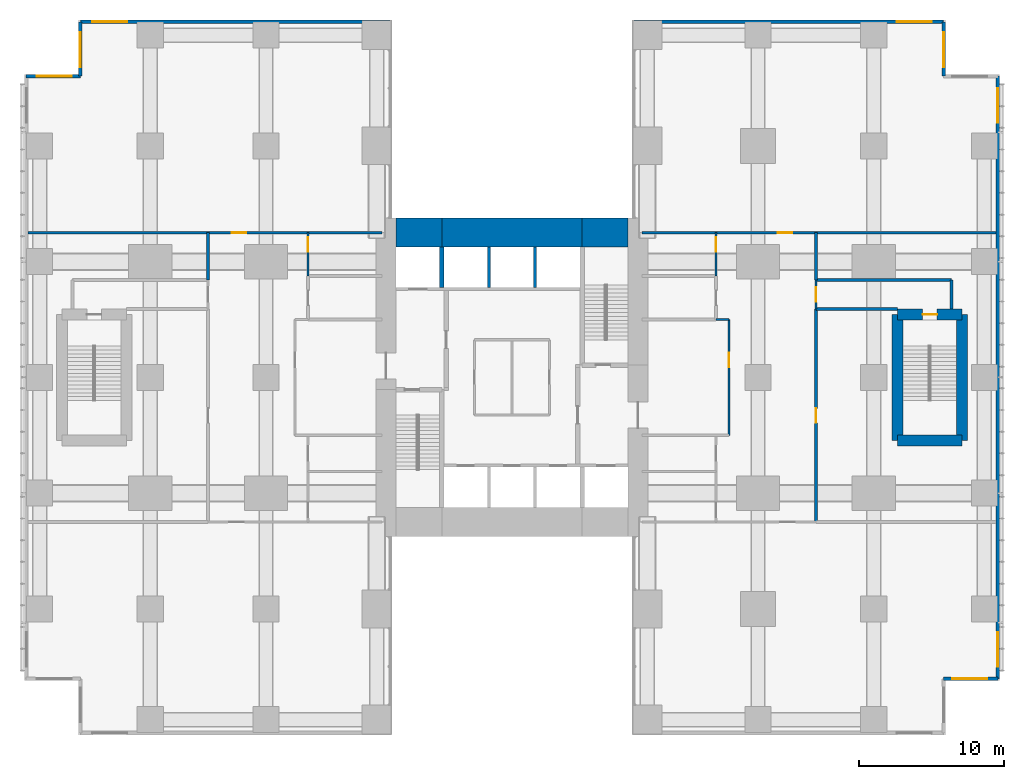
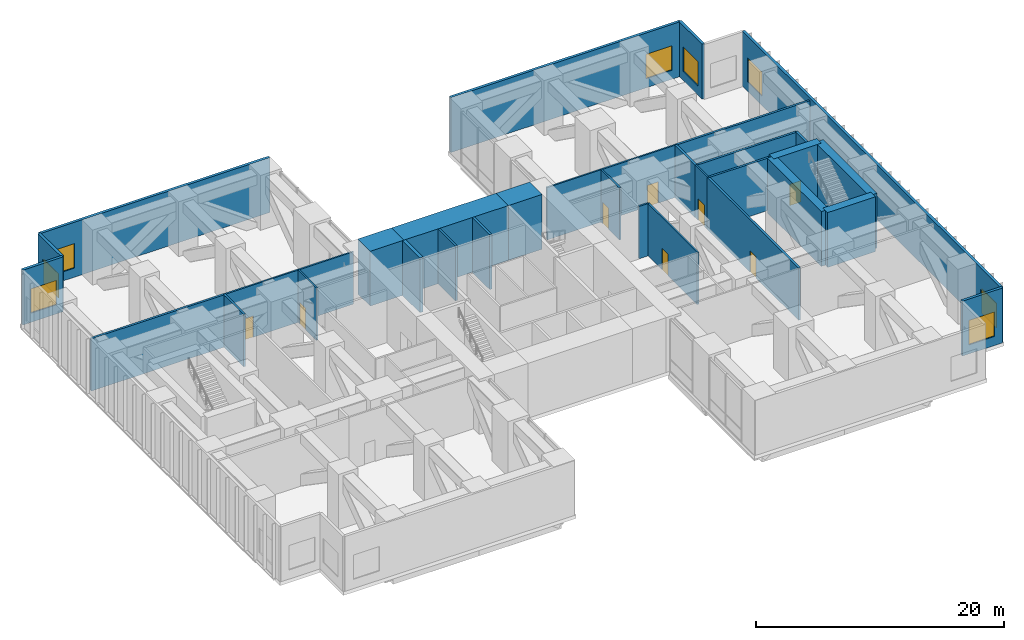
# One storey, part 13 of 15: 32 walls, 8 doors, 8 windows, 16 openings.
"""IFC4 building model written with IfcOpenShell, lengths in metres."""

from ifc_helpers import new_model, si_unit, direction, frame, frame_2d, origin, place, context, subcontext, project, spatial, rectangle, extrude, material, layer, layer_set, type_object, element, fill, save


model = new_model("IFC4")

# Units and contexts
model_context = context("Model", 3, precision=1e-05, world=origin(), true_north=direction((0.0, 1.0)))
body_context = subcontext(model_context, "Body", "Model", "MODEL_VIEW")
ifc_project = project(units=[si_unit("LENGTHUNIT", "METRE"), si_unit("AREAUNIT", "SQUARE_METRE"), si_unit("VOLUMEUNIT", "CUBIC_METRE"), si_unit("PLANEANGLEUNIT", "RADIAN"), si_unit("MASSUNIT", "GRAM", prefix="KILO")], contexts=[model_context])

# Site, building, storey
site_placement = place(None, origin())
site = spatial("IfcSite", under=ifc_project, at=site_placement, CompositionType="ELEMENT")
building_placement = place(site_placement, origin())
building = spatial("IfcBuilding", under=site, at=building_placement, Name="Cleftline Residences", CompositionType="ELEMENT")
storey_placement = place(building_placement, frame((0.0, 0.0, 171.800048828125)))
storey = spatial("IfcBuildingStorey", under=building, at=storey_placement, Name="L45", CompositionType="ELEMENT", Elevation=171.800048828125)

# Walls
ifc_material_1 = material(Name="Concrete B70", Category="concrete")
ifc_layer_1 = layer(ifc_material_1, 2.0)
ifc_layer_set_1 = layer_set([ifc_layer_1], Name="CORE WALL 2000")
wall_type_1 = type_object("IfcWallType", Name="CORE WALL 2000", PredefinedType="SHEAR", material=ifc_layer_set_1)
wall_1_placement = place(storey_placement, frame((25.0, 34.0, 0.0), z_axis=(0.0, 0.0, 1.0), x_axis=(1.0, 0.0, 0.0)))
element("IfcWall", 1, at=wall_1_placement, inside=storey, type_object=wall_type_1, Name="Core wall N1", PredefinedType="SHEAR", context=body_context, shape_type="SweptSolid", body=[
    extrude(rectangle(XDim=3.14990234375, YDim=2.0, at=frame_2d((1.574951171875, 0.0))), origin(), (0.0, 0.0, 1.0), 5.39990234375),
])
wall_2_placement = place(storey_placement, frame((28.14990234375, 34.0, 0.0), z_axis=(0.0, 0.0, 1.0), x_axis=(1.0, 0.0, 0.0)))
element("IfcWall", 2, at=wall_2_placement, inside=storey, type_object=wall_type_1, Name="Core wall N2", PredefinedType="SHEAR", context=body_context, shape_type="SweptSolid", body=[
    extrude(rectangle(XDim=9.7001953125, YDim=2.0, at=frame_2d((4.85009765625, 0.0))), origin(), (0.0, 0.0, 1.0), 5.39990234375),
])
wall_3_placement = place(storey_placement, frame((37.85009765625, 34.0, 0.0), z_axis=(0.0, 0.0, 1.0), x_axis=(1.0, 0.0, 0.0)))
element("IfcWall", 3, at=wall_3_placement, inside=storey, type_object=wall_type_1, Name="Core wall N3", PredefinedType="SHEAR", context=body_context, shape_type="SweptSolid", body=[
    extrude(rectangle(XDim=3.14990234375, YDim=2.0, at=frame_2d((1.574951171875, 0.0))), origin(), (0.0, 0.0, 1.0), 5.39990234375),
])
ifc_material_2 = material(Name="Concrete B70", Category="concrete")
ifc_layer_2 = layer(ifc_material_2, 0.300048828125)
ifc_layer_set_2 = layer_set([ifc_layer_2], Name="CORE WALL 300")
wall_type_2 = type_object("IfcWallType", Name="CORE WALL 300", PredefinedType="SHEAR", material=ifc_layer_set_2)
wall_4_placement = place(storey_placement, frame((28.14990234375, 30.199951171875, 0.0), z_axis=(0.0, 0.0, 1.0), x_axis=(0.0, 1.0, 0.0)))
element("IfcWall", 4, at=wall_4_placement, inside=storey, type_object=wall_type_2, Name="Lift shaft wall", PredefinedType="SHEAR", context=body_context, shape_type="SweptSolid", body=[
    extrude(rectangle(XDim=2.800048828125, YDim=0.300048828125, at=frame_2d((1.39990234375, 0.0))), origin(), (0.0, 0.0, 1.0), 5.39990234375),
])

# Wall, opening, window
ifc_material_3 = material(Name="Rendered reinforced concrete blockwork", Category="masonry")
ifc_layer_3 = layer(ifc_material_3, 0.25)
ifc_layer_set_3 = layer_set([ifc_layer_3], Name="EXTERNAL WALL 250")
wall_type_3 = type_object("IfcWallType", Name="EXTERNAL WALL 250", PredefinedType="SOLIDWALL", material=ifc_layer_set_3)
wall_5_placement = place(storey_placement, frame((62.824951171875, 3.175048828125, 0.0), z_axis=(0.0, 0.0, 1.0), x_axis=(1.0, 0.0, 0.0)))
wall_5 = element("IfcWall", 5, at=wall_5_placement, inside=storey, type_object=wall_type_3, Name="External wall", PredefinedType="SOLIDWALL", context=body_context, shape_type="SweptSolid", body=[
    extrude(rectangle(XDim=3.75, YDim=0.25, at=frame_2d((1.875, 0.0))), origin(), (0.0, 0.0, 1.0), 5.39990234375),
])
opening_1_placement = place(wall_5_placement, frame((0.612548828125, 0.0, 0.89990234375)))
opening_1 = element("IfcOpeningElement", 6, at=opening_1_placement, cuts=wall_5, Name="Opening W9", PredefinedType="OPENING", context=body_context, shape_type="SweptSolid", body=[
    extrude(rectangle(XDim=2.39990234375, YDim=2.39990234375, at=frame_2d((1.199951171875, 1.199951171875))), frame((0.0, 0.135009765625, 0.0), z_axis=(0.0, -1.0, 0.0), x_axis=(1.0, 0.0, 0.0)), (0.0, 0.0, 1.0), 0.27001953125),
])
ifc_material_4 = material(Name="Aluminium frame, clear double glazing", Category="aluminium")
window_type = type_object("IfcWindowType", Name="WINDOW 2400X2400", PartitioningType="DOUBLE_PANEL_VERTICAL", PredefinedType="WINDOW", material=ifc_material_4)
window_1_placement = place(opening_1_placement, origin())
window_1 = element("IfcWindow", 7, at=window_1_placement, inside=storey, type_object=window_type, Name="Window", OverallHeight=2.39990234375, OverallWidth=2.39990234375, PartitioningType="SINGLE_PANEL", PredefinedType="WINDOW", context=body_context, shape_type="SweptSolid", body=[
    extrude(rectangle(XDim=2.39990234375, YDim=2.39990234375, at=frame_2d((1.199951171875, 1.199951171875))), frame((0.0, 0.030029296875, 0.0), z_axis=(0.0, -1.0, 0.0), x_axis=(1.0, 0.0, 0.0)), (0.0, 0.0, 1.0), 0.06005859375),
])
fill(opening_1, window_1)

# Wall, openings, windows
wall_6_placement = place(storey_placement, frame((66.574951171875, 3.175048828125, 0.0), z_axis=(0.0, 0.0, 1.0), x_axis=(0.0, 1.0, 0.0)))
wall_6 = element("IfcWall", 8, at=wall_6_placement, inside=storey, type_object=wall_type_3, Name="External wall", PredefinedType="SOLIDWALL", context=body_context, shape_type="SweptSolid", body=[
    extrude(rectangle(XDim=41.64990234375, YDim=0.25, at=frame_2d((20.824951171875, 0.0))), origin(), (0.0, 0.0, 1.0), 5.39990234375),
])
opening_2_placement = place(wall_6_placement, frame((0.824951171875, 0.0, 0.89990234375)))
opening_2 = element("IfcOpeningElement", 9, at=opening_2_placement, cuts=wall_6, Name="Opening W9", PredefinedType="OPENING", context=body_context, shape_type="SweptSolid", body=[
    extrude(rectangle(XDim=2.39990234375, YDim=2.39990234375, at=frame_2d((1.199951171875, 1.199951171875))), frame((0.0, 0.135009765625, 0.0), z_axis=(0.0, -1.0, 0.0), x_axis=(1.0, 0.0, 0.0)), (0.0, 0.0, 1.0), 0.27001953125),
])
opening_3_placement = place(wall_6_placement, frame((38.425048828125, 0.0, 0.89990234375)))
opening_3 = element("IfcOpeningElement", 10, at=opening_3_placement, cuts=wall_6, Name="Opening W9", PredefinedType="OPENING", context=body_context, shape_type="SweptSolid", body=[
    extrude(rectangle(XDim=2.39990234375, YDim=2.39990234375, at=frame_2d((1.199951171875, 1.199951171875))), frame((0.0, 0.135009765625, 0.0), z_axis=(0.0, -1.0, 0.0), x_axis=(1.0, 0.0, 0.0)), (0.0, 0.0, 1.0), 0.27001953125),
])
window_2_placement = place(opening_2_placement, origin())
window_2 = element("IfcWindow", 11, at=window_2_placement, inside=storey, type_object=window_type, Name="Window", OverallHeight=2.39990234375, OverallWidth=2.39990234375, PartitioningType="SINGLE_PANEL", PredefinedType="WINDOW", context=body_context, shape_type="SweptSolid", body=[
    extrude(rectangle(XDim=2.39990234375, YDim=2.39990234375, at=frame_2d((1.199951171875, 1.199951171875))), frame((0.0, 0.030029296875, 0.0), z_axis=(0.0, -1.0, 0.0), x_axis=(1.0, 0.0, 0.0)), (0.0, 0.0, 1.0), 0.06005859375),
])
fill(opening_2, window_2)
window_3_placement = place(opening_3_placement, origin())
window_3 = element("IfcWindow", 12, at=window_3_placement, inside=storey, type_object=window_type, Name="Window", OverallHeight=2.39990234375, OverallWidth=2.39990234375, PartitioningType="SINGLE_PANEL", PredefinedType="WINDOW", context=body_context, shape_type="SweptSolid", body=[
    extrude(rectangle(XDim=2.39990234375, YDim=2.39990234375, at=frame_2d((1.199951171875, 1.199951171875))), frame((0.0, 0.030029296875, 0.0), z_axis=(0.0, -1.0, 0.0), x_axis=(1.0, 0.0, 0.0)), (0.0, 0.0, 1.0), 0.06005859375),
])
fill(opening_3, window_3)

# Wall, opening, window
wall_7_placement = place(storey_placement, frame((62.824951171875, 44.824951171875, 0.0), z_axis=(0.0, 0.0, 1.0), x_axis=(0.0, 1.0, 0.0)))
wall_7 = element("IfcWall", 13, at=wall_7_placement, inside=storey, type_object=wall_type_3, Name="External wall", PredefinedType="SOLIDWALL", context=body_context, shape_type="SweptSolid", body=[
    extrude(rectangle(XDim=3.75, YDim=0.25, at=frame_2d((1.875, 0.0))), origin(), (0.0, 0.0, 1.0), 5.39990234375),
])
opening_4_placement = place(wall_7_placement, frame((0.612548828125, 0.0, 0.89990234375)))
opening_4 = element("IfcOpeningElement", 14, at=opening_4_placement, cuts=wall_7, Name="Opening W9", PredefinedType="OPENING", context=body_context, shape_type="SweptSolid", body=[
    extrude(rectangle(XDim=2.39990234375, YDim=2.39990234375, at=frame_2d((1.199951171875, 1.199951171875))), frame((0.0, 0.135009765625, 0.0), z_axis=(0.0, -1.0, 0.0), x_axis=(1.0, 0.0, 0.0)), (0.0, 0.0, 1.0), 0.27001953125),
])
window_4_placement = place(opening_4_placement, origin())
window_4 = element("IfcWindow", 15, at=window_4_placement, inside=storey, type_object=window_type, Name="Window", OverallHeight=2.39990234375, OverallWidth=2.39990234375, PartitioningType="SINGLE_PANEL", PredefinedType="WINDOW", context=body_context, shape_type="SweptSolid", body=[
    extrude(rectangle(XDim=2.39990234375, YDim=2.39990234375, at=frame_2d((1.199951171875, 1.199951171875))), frame((0.0, 0.030029296875, 0.0), z_axis=(0.0, -1.0, 0.0), x_axis=(1.0, 0.0, 0.0)), (0.0, 0.0, 1.0), 0.06005859375),
])
fill(opening_4, window_4)

wall_8_placement = place(storey_placement, frame((62.824951171875, 48.574951171875, 0.0), z_axis=(0.0, 0.0, 1.0), x_axis=(-1.0, 0.0, 0.0)))
wall_8 = element("IfcWall", 16, at=wall_8_placement, inside=storey, type_object=wall_type_3, Name="External wall", PredefinedType="SOLIDWALL", context=body_context, shape_type="SweptSolid", body=[
    extrude(rectangle(XDim=21.39990234375, YDim=0.25, at=frame_2d((10.699951171875, 0.0))), origin(), (0.0, 0.0, 1.0), 5.39990234375),
])
opening_5_placement = place(wall_8_placement, frame((0.824951171875, 0.0, 0.89990234375)))
opening_5 = element("IfcOpeningElement", 17, at=opening_5_placement, cuts=wall_8, Name="Opening W9", PredefinedType="OPENING", context=body_context, shape_type="SweptSolid", body=[
    extrude(rectangle(XDim=2.39990234375, YDim=2.39990234375, at=frame_2d((1.199951171875, 1.199951171875))), frame((0.0, 0.135009765625, 0.0), z_axis=(0.0, -1.0, 0.0), x_axis=(1.0, 0.0, 0.0)), (0.0, 0.0, 1.0), 0.27001953125),
])
window_5_placement = place(opening_5_placement, origin())
window_5 = element("IfcWindow", 18, at=window_5_placement, inside=storey, type_object=window_type, Name="Window", OverallHeight=2.39990234375, OverallWidth=2.39990234375, PartitioningType="SINGLE_PANEL", PredefinedType="WINDOW", context=body_context, shape_type="SweptSolid", body=[
    extrude(rectangle(XDim=2.39990234375, YDim=2.39990234375, at=frame_2d((1.199951171875, 1.199951171875))), frame((0.0, 0.030029296875, 0.0), z_axis=(0.0, -1.0, 0.0), x_axis=(1.0, 0.0, 0.0)), (0.0, 0.0, 1.0), 0.06005859375),
])
fill(opening_5, window_5)

wall_9_placement = place(storey_placement, frame((24.574951171875, 48.574951171875, 0.0), z_axis=(0.0, 0.0, 1.0), x_axis=(-1.0, 0.0, 0.0)))
wall_9 = element("IfcWall", 19, at=wall_9_placement, inside=storey, type_object=wall_type_3, Name="External wall", PredefinedType="SOLIDWALL", context=body_context, shape_type="SweptSolid", body=[
    extrude(rectangle(XDim=21.39990234375, YDim=0.25, at=frame_2d((10.699951171875, 0.0))), origin(), (0.0, 0.0, 1.0), 5.39990234375),
])
opening_6_placement = place(wall_9_placement, frame((18.175048828125, 0.0, 0.89990234375)))
opening_6 = element("IfcOpeningElement", 20, at=opening_6_placement, cuts=wall_9, Name="Opening W9", PredefinedType="OPENING", context=body_context, shape_type="SweptSolid", body=[
    extrude(rectangle(XDim=2.39990234375, YDim=2.39990234375, at=frame_2d((1.199951171875, 1.199951171875))), frame((0.0, 0.135009765625, 0.0), z_axis=(0.0, -1.0, 0.0), x_axis=(1.0, 0.0, 0.0)), (0.0, 0.0, 1.0), 0.27001953125),
])
window_6_placement = place(opening_6_placement, origin())
window_6 = element("IfcWindow", 21, at=window_6_placement, inside=storey, type_object=window_type, Name="Window", OverallHeight=2.39990234375, OverallWidth=2.39990234375, PartitioningType="SINGLE_PANEL", PredefinedType="WINDOW", context=body_context, shape_type="SweptSolid", body=[
    extrude(rectangle(XDim=2.39990234375, YDim=2.39990234375, at=frame_2d((1.199951171875, 1.199951171875))), frame((0.0, 0.030029296875, 0.0), z_axis=(0.0, -1.0, 0.0), x_axis=(1.0, 0.0, 0.0)), (0.0, 0.0, 1.0), 0.06005859375),
])
fill(opening_6, window_6)

wall_10_placement = place(storey_placement, frame((3.175048828125, 48.574951171875, 0.0), z_axis=(0.0, 0.0, 1.0), x_axis=(0.0, -1.0, 0.0)))
wall_10 = element("IfcWall", 22, at=wall_10_placement, inside=storey, type_object=wall_type_3, Name="External wall", PredefinedType="SOLIDWALL", context=body_context, shape_type="SweptSolid", body=[
    extrude(rectangle(XDim=3.75, YDim=0.25, at=frame_2d((1.875, 0.0))), origin(), (0.0, 0.0, 1.0), 5.39990234375),
])
opening_7_placement = place(wall_10_placement, frame((0.737548828125, 0.0, 0.89990234375)))
opening_7 = element("IfcOpeningElement", 23, at=opening_7_placement, cuts=wall_10, Name="Opening W9", PredefinedType="OPENING", context=body_context, shape_type="SweptSolid", body=[
    extrude(rectangle(XDim=2.39990234375, YDim=2.39990234375, at=frame_2d((1.199951171875, 1.199951171875))), frame((0.0, 0.135009765625, 0.0), z_axis=(0.0, -1.0, 0.0), x_axis=(1.0, 0.0, 0.0)), (0.0, 0.0, 1.0), 0.27001953125),
])
window_7_placement = place(opening_7_placement, origin())
window_7 = element("IfcWindow", 24, at=window_7_placement, inside=storey, type_object=window_type, Name="Window", OverallHeight=2.39990234375, OverallWidth=2.39990234375, PartitioningType="SINGLE_PANEL", PredefinedType="WINDOW", context=body_context, shape_type="SweptSolid", body=[
    extrude(rectangle(XDim=2.39990234375, YDim=2.39990234375, at=frame_2d((1.199951171875, 1.199951171875))), frame((0.0, 0.030029296875, 0.0), z_axis=(0.0, -1.0, 0.0), x_axis=(1.0, 0.0, 0.0)), (0.0, 0.0, 1.0), 0.06005859375),
])
fill(opening_7, window_7)

wall_11_placement = place(storey_placement, frame((3.175048828125, 44.824951171875, 0.0), z_axis=(0.0, 0.0, 1.0), x_axis=(-1.0, 0.0, 0.0)))
wall_11 = element("IfcWall", 25, at=wall_11_placement, inside=storey, type_object=wall_type_3, Name="External wall", PredefinedType="SOLIDWALL", context=body_context, shape_type="SweptSolid", body=[
    extrude(rectangle(XDim=3.75, YDim=0.25, at=frame_2d((1.875, 0.0))), origin(), (0.0, 0.0, 1.0), 5.39990234375),
])
opening_8_placement = place(wall_11_placement, frame((0.612548828125, 0.0, 0.89990234375)))
opening_8 = element("IfcOpeningElement", 26, at=opening_8_placement, cuts=wall_11, Name="Opening W9", PredefinedType="OPENING", context=body_context, shape_type="SweptSolid", body=[
    extrude(rectangle(XDim=2.39990234375, YDim=2.39990234375, at=frame_2d((1.199951171875, 1.199951171875))), frame((0.0, 0.135009765625, 0.0), z_axis=(0.0, -1.0, 0.0), x_axis=(1.0, 0.0, 0.0)), (0.0, 0.0, 1.0), 0.27001953125),
])
window_8_placement = place(opening_8_placement, origin())
window_8 = element("IfcWindow", 27, at=window_8_placement, inside=storey, type_object=window_type, Name="Window", OverallHeight=2.39990234375, OverallWidth=2.39990234375, PartitioningType="SINGLE_PANEL", PredefinedType="WINDOW", context=body_context, shape_type="SweptSolid", body=[
    extrude(rectangle(XDim=2.39990234375, YDim=2.39990234375, at=frame_2d((1.199951171875, 1.199951171875))), frame((0.0, 0.030029296875, 0.0), z_axis=(0.0, -1.0, 0.0), x_axis=(1.0, 0.0, 0.0)), (0.0, 0.0, 1.0), 0.06005859375),
])
fill(opening_8, window_8)

# Walls
ifc_material_5 = material(Name="Concrete blockwork, fire rated", Category="masonry")
ifc_layer_4 = layer(ifc_material_5, 0.199951171875)
ifc_layer_set_4 = layer_set([ifc_layer_4], Name="FIRE WALL 200")
wall_type_4 = type_object("IfcWallType", Name="FIRE WALL 200", PredefinedType="PARTITIONING", material=ifc_layer_set_4)
wall_12_placement = place(storey_placement, frame((54.0, 28.72509765625, 0.0), z_axis=(0.0, 0.0, 1.0), x_axis=(1.0, 0.0, 0.0)))
element("IfcWall", 28, at=wall_12_placement, inside=storey, type_object=wall_type_4, Name="Fire separating wall", PredefinedType="PARTITIONING", context=body_context, shape_type="SweptSolid", body=[
    extrude(rectangle(XDim=5.64990234375, YDim=0.199951171875, at=frame_2d((2.824951171875, 0.0))), origin(), (0.0, 0.0, 1.0), 5.14990234375),
])
wall_13_placement = place(storey_placement, frame((54.0, 30.72509765625, 0.0), z_axis=(0.0, 0.0, 1.0), x_axis=(1.0, 0.0, 0.0)))
element("IfcWall", 29, at=wall_13_placement, inside=storey, type_object=wall_type_4, Name="Fire separating wall", PredefinedType="PARTITIONING", context=body_context, shape_type="SweptSolid", body=[
    extrude(rectangle(XDim=9.375, YDim=0.199951171875, at=frame_2d((4.6875, 0.0))), origin(), (0.0, 0.0, 1.0), 5.14990234375),
])
for number, where, z_axis, x_axis, name in (
    (30, (-0.449951171875, 34.0, 0.0), (0.0, 0.0, 1.0), (1.0, 0.0, 0.0), "Fire separating wall"),
    (31, (54.0, 34.0, 0.0), (0.0, 0.0, 1.0), (1.0, 0.0, 0.0), "Fire separating wall"),
):
    element("IfcWall", number, at=place(storey_placement, frame(where, z_axis=z_axis, x_axis=x_axis)), inside=storey, type_object=wall_type_4, Name=name, PredefinedType="PARTITIONING", context=body_context, shape_type="SweptSolid", body=[
        extrude(rectangle(XDim=12.449951171875, YDim=0.199951171875, at=frame_2d((6.22509765625, 0.0))), origin(), (0.0, 0.0, 1.0), 5.14990234375),
    ])
wall_14_placement = place(storey_placement, frame((12.0, 30.72509765625, 0.0), z_axis=(0.0, 0.0, 1.0), x_axis=(0.0, 1.0, 0.0)))
element("IfcWall", 32, at=wall_14_placement, inside=storey, type_object=wall_type_4, Name="Fire separating wall", PredefinedType="PARTITIONING", context=body_context, shape_type="SweptSolid", body=[
    extrude(rectangle(XDim=3.27490234375, YDim=0.199951171875, at=frame_2d((1.637451171875, 0.0))), origin(), (0.0, 0.0, 1.0), 5.14990234375),
])

# Wall, opening, door
wall_15_placement = place(storey_placement, frame((54.0, 14.0, 0.0), z_axis=(0.0, 0.0, 1.0), x_axis=(0.0, 1.0, 0.0)))
wall_15 = element("IfcWall", 33, at=wall_15_placement, inside=storey, type_object=wall_type_4, Name="Fire separating wall", PredefinedType="PARTITIONING", context=body_context, shape_type="SweptSolid", body=[
    extrude(rectangle(XDim=14.72509765625, YDim=0.199951171875, at=frame_2d((7.362548828125, 0.0))), origin(), (0.0, 0.0, 1.0), 5.14990234375),
])
opening_9_placement = place(wall_15_placement, frame((6.862548828125, 0.0, 0.0)))
opening_9 = element("IfcOpeningElement", 34, at=opening_9_placement, cuts=wall_15, Name="Opening D2F60", PredefinedType="OPENING", context=body_context, shape_type="SweptSolid", body=[
    extrude(rectangle(XDim=1.0, YDim=2.10009765625, at=frame_2d((0.5, 1.050048828125))), frame((0.0, 0.10986328125, 0.0), z_axis=(0.0, -1.0, 0.0), x_axis=(1.0, 0.0, 0.0)), (0.0, 0.0, 1.0), 0.219970703125),
])
ifc_material_6 = material(Name="Timber veneer on solid core", Category="wood")
door_type_1 = type_object("IfcDoorType", Name="DOOR 1000X2100 EI 60", OperationType="SINGLE_SWING_LEFT", PredefinedType="DOOR", material=ifc_material_6)
door_1_placement = place(opening_9_placement, origin())
door_1 = element("IfcDoor", 35, at=door_1_placement, inside=storey, type_object=door_type_1, Name="Door to mechanical plant room", OperationType="SINGLE_SWING_LEFT", OverallHeight=2.10009765625, OverallWidth=1.0, PredefinedType="DOOR", context=body_context, shape_type="SweptSolid", body=[
    extrude(rectangle(XDim=1.0, YDim=2.10009765625, at=frame_2d((0.5, 1.050048828125))), frame((0.0, 0.02490234375, 0.0), z_axis=(0.0, -1.0, 0.0), x_axis=(1.0, 0.0, 0.0)), (0.0, 0.0, 1.0), 0.050048828125),
])
fill(opening_9, door_1)

# Walls
wall_16_placement = place(storey_placement, frame((54.0, 30.72509765625, 0.0), z_axis=(0.0, 0.0, 1.0), x_axis=(0.0, 1.0, 0.0)))
element("IfcWall", 36, at=wall_16_placement, inside=storey, type_object=wall_type_4, Name="Fire separating wall", PredefinedType="PARTITIONING", context=body_context, shape_type="SweptSolid", body=[
    extrude(rectangle(XDim=3.27490234375, YDim=0.199951171875, at=frame_2d((1.637451171875, 0.0))), origin(), (0.0, 0.0, 1.0), 5.14990234375),
])
wall_17_placement = place(storey_placement, frame((63.375, 28.72509765625, 0.0), z_axis=(0.0, 0.0, 1.0), x_axis=(0.0, 1.0, 0.0)))
element("IfcWall", 37, at=wall_17_placement, inside=storey, type_object=wall_type_4, Name="Fire separating wall", PredefinedType="PARTITIONING", context=body_context, shape_type="SweptSolid", body=[
    extrude(rectangle(XDim=2.0, YDim=0.199951171875, at=frame_2d((1.0, 0.0))), origin(), (0.0, 0.0, 1.0), 5.14990234375),
])
ifc_material_7 = material(Name="Gypsum board on steel studs", Category="steel")
ifc_layer_5 = layer(ifc_material_7, 0.14990234375)
ifc_layer_set_5 = layer_set([ifc_layer_5], Name="PARTITION 150")
wall_type_5 = type_object("IfcWallType", Name="PARTITION 150", PredefinedType="PARTITIONING", material=ifc_layer_set_5)
wall_18_placement = place(storey_placement, frame((47.10009765625, 28.0, 0.0), z_axis=(0.0, 0.0, 1.0), x_axis=(1.0, 0.0, 0.0)))
element("IfcWall", 38, at=wall_18_placement, inside=storey, type_object=wall_type_5, Name="Partition", PredefinedType="PARTITIONING", context=body_context, shape_type="SweptSolid", body=[
    extrude(rectangle(XDim=0.89990234375, YDim=0.14990234375, at=frame_2d((0.449951171875, 0.0))), origin(), (0.0, 0.0, 1.0), 5.14990234375),
])

# Wall, opening, door
wall_19_placement = place(storey_placement, frame((12.0, 34.0, 0.0), z_axis=(0.0, 0.0, 1.0), x_axis=(1.0, 0.0, 0.0)))
wall_19 = element("IfcWall", 39, at=wall_19_placement, inside=storey, type_object=wall_type_5, Name="Partition", PredefinedType="PARTITIONING", context=body_context, shape_type="SweptSolid", body=[
    extrude(rectangle(XDim=12.0, YDim=0.14990234375, at=frame_2d((6.0, 0.0))), origin(), (0.0, 0.0, 1.0), 5.14990234375),
])
opening_10_placement = place(wall_19_placement, frame((1.64990234375, 0.0, 0.0)))
opening_10 = element("IfcOpeningElement", 40, at=opening_10_placement, cuts=wall_19, Name="Opening D2F60", PredefinedType="OPENING", context=body_context, shape_type="SweptSolid", body=[
    extrude(rectangle(XDim=1.0, YDim=2.10009765625, at=frame_2d((0.5, 1.050048828125))), frame((0.0, 0.0849609375, 0.0), z_axis=(0.0, -1.0, 0.0), x_axis=(1.0, 0.0, 0.0)), (0.0, 0.0, 1.0), 0.169921875),
])
door_2_placement = place(opening_10_placement, origin())
door_2 = element("IfcDoor", 41, at=door_2_placement, inside=storey, type_object=door_type_1, Name="Door to refuge area", OperationType="SINGLE_SWING_RIGHT", OverallHeight=2.10009765625, OverallWidth=1.0, PredefinedType="DOOR", context=body_context, shape_type="SweptSolid", body=[
    extrude(rectangle(XDim=1.0, YDim=2.10009765625, at=frame_2d((0.5, 1.050048828125))), frame((0.0, 0.02490234375, 0.0), z_axis=(0.0, -1.0, 0.0), x_axis=(1.0, 0.0, 0.0)), (0.0, 0.0, 1.0), 0.050048828125),
])
fill(opening_10, door_2)

wall_20_placement = place(storey_placement, frame((42.0, 34.0, 0.0), z_axis=(0.0, 0.0, 1.0), x_axis=(1.0, 0.0, 0.0)))
wall_20 = element("IfcWall", 42, at=wall_20_placement, inside=storey, type_object=wall_type_5, Name="Partition", PredefinedType="PARTITIONING", context=body_context, shape_type="SweptSolid", body=[
    extrude(rectangle(XDim=12.0, YDim=0.14990234375, at=frame_2d((6.0, 0.0))), origin(), (0.0, 0.0, 1.0), 5.14990234375),
])
opening_11_placement = place(wall_20_placement, frame((9.35009765625, 0.0, 0.0)))
opening_11 = element("IfcOpeningElement", 43, at=opening_11_placement, cuts=wall_20, Name="Opening D2F60", PredefinedType="OPENING", context=body_context, shape_type="SweptSolid", body=[
    extrude(rectangle(XDim=1.0, YDim=2.10009765625, at=frame_2d((0.5, 1.050048828125))), frame((0.0, 0.0849609375, 0.0), z_axis=(0.0, -1.0, 0.0), x_axis=(1.0, 0.0, 0.0)), (0.0, 0.0, 1.0), 0.169921875),
])
door_3_placement = place(opening_11_placement, origin())
door_3 = element("IfcDoor", 44, at=door_3_placement, inside=storey, type_object=door_type_1, Name="Door to refuge area", OperationType="SINGLE_SWING_LEFT", OverallHeight=2.10009765625, OverallWidth=1.0, PredefinedType="DOOR", context=body_context, shape_type="SweptSolid", body=[
    extrude(rectangle(XDim=1.0, YDim=2.10009765625, at=frame_2d((0.5, 1.050048828125))), frame((0.0, 0.02490234375, 0.0), z_axis=(0.0, -1.0, 0.0), x_axis=(1.0, 0.0, 0.0)), (0.0, 0.0, 1.0), 0.050048828125),
])
fill(opening_11, door_3)

wall_21_placement = place(storey_placement, frame((18.89990234375, 31.0, 0.0), z_axis=(0.0, 0.0, 1.0), x_axis=(0.0, 1.0, 0.0)))
wall_21 = element("IfcWall", 45, at=wall_21_placement, inside=storey, type_object=wall_type_5, Name="Partition", PredefinedType="PARTITIONING", context=body_context, shape_type="SweptSolid", body=[
    extrude(rectangle(XDim=3.0, YDim=0.14990234375, at=frame_2d((1.5, 0.0))), origin(), (0.0, 0.0, 1.0), 5.14990234375),
])
opening_12_placement = place(wall_21_placement, frame((1.699951171875, 0.0, 0.0)))
opening_12 = element("IfcOpeningElement", 46, at=opening_12_placement, cuts=wall_21, Name="Opening D2F60", PredefinedType="OPENING", context=body_context, shape_type="SweptSolid", body=[
    extrude(rectangle(XDim=1.0, YDim=2.10009765625, at=frame_2d((0.5, 1.050048828125))), frame((0.0, 0.0849609375, 0.0), z_axis=(0.0, -1.0, 0.0), x_axis=(1.0, 0.0, 0.0)), (0.0, 0.0, 1.0), 0.169921875),
])
door_4_placement = place(opening_12_placement, origin())
door_4 = element("IfcDoor", 47, at=door_4_placement, inside=storey, type_object=door_type_1, Name="Door to communications room", OperationType="SINGLE_SWING_LEFT", OverallHeight=2.10009765625, OverallWidth=1.0, PredefinedType="DOOR", context=body_context, shape_type="SweptSolid", body=[
    extrude(rectangle(XDim=1.0, YDim=2.10009765625, at=frame_2d((0.5, 1.050048828125))), frame((0.0, 0.02490234375, 0.0), z_axis=(0.0, -1.0, 0.0), x_axis=(1.0, 0.0, 0.0)), (0.0, 0.0, 1.0), 0.050048828125),
])
fill(opening_12, door_4)

wall_22_placement = place(storey_placement, frame((47.10009765625, 31.0, 0.0), z_axis=(0.0, 0.0, 1.0), x_axis=(0.0, 1.0, 0.0)))
wall_22 = element("IfcWall", 48, at=wall_22_placement, inside=storey, type_object=wall_type_5, Name="Partition", PredefinedType="PARTITIONING", context=body_context, shape_type="SweptSolid", body=[
    extrude(rectangle(XDim=3.0, YDim=0.14990234375, at=frame_2d((1.5, 0.0))), origin(), (0.0, 0.0, 1.0), 5.14990234375),
])
opening_13_placement = place(wall_22_placement, frame((1.699951171875, 0.0, 0.0)))
opening_13 = element("IfcOpeningElement", 49, at=opening_13_placement, cuts=wall_22, Name="Opening D2F60", PredefinedType="OPENING", context=body_context, shape_type="SweptSolid", body=[
    extrude(rectangle(XDim=1.0, YDim=2.10009765625, at=frame_2d((0.5, 1.050048828125))), frame((0.0, 0.0849609375, 0.0), z_axis=(0.0, -1.0, 0.0), x_axis=(1.0, 0.0, 0.0)), (0.0, 0.0, 1.0), 0.169921875),
])
door_5_placement = place(opening_13_placement, origin())
door_5 = element("IfcDoor", 50, at=door_5_placement, inside=storey, type_object=door_type_1, Name="Door to communications room", OperationType="SINGLE_SWING_LEFT", OverallHeight=2.10009765625, OverallWidth=1.0, PredefinedType="DOOR", context=body_context, shape_type="SweptSolid", body=[
    extrude(rectangle(XDim=1.0, YDim=2.10009765625, at=frame_2d((0.5, 1.050048828125))), frame((0.0, 0.02490234375, 0.0), z_axis=(0.0, -1.0, 0.0), x_axis=(1.0, 0.0, 0.0)), (0.0, 0.0, 1.0), 0.050048828125),
])
fill(opening_13, door_5)

wall_23_placement = place(storey_placement, frame((48.0, 20.0, 0.0), z_axis=(0.0, 0.0, 1.0), x_axis=(0.0, 1.0, 0.0)))
wall_23 = element("IfcWall", 51, at=wall_23_placement, inside=storey, type_object=wall_type_5, Name="Partition", PredefinedType="PARTITIONING", context=body_context, shape_type="SweptSolid", body=[
    extrude(rectangle(XDim=8.0, YDim=0.14990234375, at=frame_2d((4.0, 0.0))), origin(), (0.0, 0.0, 1.0), 5.14990234375),
])
opening_14_placement = place(wall_23_placement, frame((4.699951171875, 0.0, 0.0)))
opening_14 = element("IfcOpeningElement", 52, at=opening_14_placement, cuts=wall_23, Name="Opening D2F30", PredefinedType="OPENING", context=body_context, shape_type="SweptSolid", body=[
    extrude(rectangle(XDim=1.0, YDim=2.10009765625, at=frame_2d((0.5, 1.050048828125))), frame((0.0, 0.0849609375, 0.0), z_axis=(0.0, -1.0, 0.0), x_axis=(1.0, 0.0, 0.0)), (0.0, 0.0, 1.0), 0.169921875),
])
ifc_material_8 = material(Name="Timber veneer on solid core", Category="wood")
door_type_2 = type_object("IfcDoorType", Name="DOOR 1000X2100 EI 30", OperationType="SINGLE_SWING_LEFT", PredefinedType="DOOR", material=ifc_material_8)
door_6_placement = place(opening_14_placement, origin())
door_6 = element("IfcDoor", 53, at=door_6_placement, inside=storey, type_object=door_type_2, Name="Door to corridor", OperationType="SINGLE_SWING_LEFT", OverallHeight=2.10009765625, OverallWidth=1.0, PredefinedType="DOOR", context=body_context, shape_type="SweptSolid", body=[
    extrude(rectangle(XDim=1.0, YDim=2.10009765625, at=frame_2d((0.5, 1.050048828125))), frame((0.0, 0.02490234375, 0.0), z_axis=(0.0, -1.0, 0.0), x_axis=(1.0, 0.0, 0.0)), (0.0, 0.0, 1.0), 0.050048828125),
])
fill(opening_14, door_6)

wall_24_placement = place(storey_placement, frame((54.0, 28.72509765625, 0.0), z_axis=(0.0, 0.0, 1.0), x_axis=(0.0, 1.0, 0.0)))
wall_24 = element("IfcWall", 54, at=wall_24_placement, inside=storey, type_object=wall_type_5, Name="Partition", PredefinedType="PARTITIONING", context=body_context, shape_type="SweptSolid", body=[
    extrude(rectangle(XDim=2.0, YDim=0.14990234375, at=frame_2d((1.0, 0.0))), origin(), (0.0, 0.0, 1.0), 5.14990234375),
])
opening_15_placement = place(wall_24_placement, frame((0.5, 0.0, 0.0)))
opening_15 = element("IfcOpeningElement", 55, at=opening_15_placement, cuts=wall_24, Name="Opening D2F30", PredefinedType="OPENING", context=body_context, shape_type="SweptSolid", body=[
    extrude(rectangle(XDim=1.0, YDim=2.10009765625, at=frame_2d((0.5, 1.050048828125))), frame((0.0, 0.0849609375, 0.0), z_axis=(0.0, -1.0, 0.0), x_axis=(1.0, 0.0, 0.0)), (0.0, 0.0, 1.0), 0.169921875),
])
door_7_placement = place(opening_15_placement, origin())
door_7 = element("IfcDoor", 56, at=door_7_placement, inside=storey, type_object=door_type_2, Name="Door to stair lobby", OperationType="SINGLE_SWING_LEFT", OverallHeight=2.10009765625, OverallWidth=1.0, PredefinedType="DOOR", context=body_context, shape_type="SweptSolid", body=[
    extrude(rectangle(XDim=1.0, YDim=2.10009765625, at=frame_2d((0.5, 1.050048828125))), frame((0.0, 0.02490234375, 0.0), z_axis=(0.0, -1.0, 0.0), x_axis=(1.0, 0.0, 0.0)), (0.0, 0.0, 1.0), 0.050048828125),
])
fill(opening_15, door_7)

# Walls
ifc_material_9 = material(Name="Concrete blockwork, fire rated", Category="masonry")
ifc_layer_6 = layer(ifc_material_9, 0.199951171875)
ifc_layer_set_6 = layer_set([ifc_layer_6], Name="SHAFT WALL 200")
wall_type_6 = type_object("IfcWallType", Name="SHAFT WALL 200", PredefinedType="PARTITIONING", material=ifc_layer_set_6)
for number, where, z_axis, x_axis, name in (
    (57, (31.39990234375, 30.199951171875, 0.0), (0.0, 0.0, 1.0), (0.0, 1.0, 0.0), "Lift shaft wall"),
    (58, (34.60009765625, 30.199951171875, 0.0), (0.0, 0.0, 1.0), (0.0, 1.0, 0.0), "Lift shaft wall"),
):
    element("IfcWall", number, at=place(storey_placement, frame(where, z_axis=z_axis, x_axis=x_axis)), inside=storey, type_object=wall_type_6, Name=name, PredefinedType="PARTITIONING", context=body_context, shape_type="SweptSolid", body=[
        extrude(rectangle(XDim=2.800048828125, YDim=0.199951171875, at=frame_2d((1.39990234375, 0.0))), origin(), (0.0, 0.0, 1.0), 5.39990234375),
    ])
ifc_material_10 = material(Name="Concrete B70", Category="concrete")
ifc_layer_7 = layer(ifc_material_10, 0.75)
ifc_layer_set_7 = layer_set([ifc_layer_7], Name="SHEAR WALL 750")
wall_type_7 = type_object("IfcWallType", Name="SHEAR WALL 750", PredefinedType="SHEAR", material=ifc_layer_set_7)
wall_25_placement = place(storey_placement, frame((59.64990234375, 19.64990234375, 0.0), z_axis=(0.0, 0.0, 1.0), x_axis=(1.0, 0.0, 0.0)))
element("IfcWall", 59, at=wall_25_placement, inside=storey, type_object=wall_type_7, Name="Wing shear wall", PredefinedType="SHEAR", context=body_context, shape_type="SweptSolid", body=[
    extrude(rectangle(XDim=4.4501953125, YDim=0.75, at=frame_2d((2.22509765625, 0.0))), origin(), (0.0, 0.0, 1.0), 5.39990234375),
])
wall_26_placement = place(storey_placement, frame((64.10009765625, 19.64990234375, 0.0), z_axis=(0.0, 0.0, 1.0), x_axis=(0.0, 1.0, 0.0)))
element("IfcWall", 60, at=wall_26_placement, inside=storey, type_object=wall_type_7, Name="Wing shear wall", PredefinedType="SHEAR", context=body_context, shape_type="SweptSolid", body=[
    extrude(rectangle(XDim=8.7001953125, YDim=0.75, at=frame_2d((4.35009765625, 0.0))), origin(), (0.0, 0.0, 1.0), 5.39990234375),
])

# Wall, opening, door
wall_27_placement = place(storey_placement, frame((64.10009765625, 28.35009765625, 0.0), z_axis=(0.0, 0.0, 1.0), x_axis=(-1.0, 0.0, 0.0)))
wall_27 = element("IfcWall", 61, at=wall_27_placement, inside=storey, type_object=wall_type_7, Name="Wing shear wall", PredefinedType="SHEAR", context=body_context, shape_type="SweptSolid", body=[
    extrude(rectangle(XDim=4.4501953125, YDim=0.75, at=frame_2d((2.22509765625, 0.0))), origin(), (0.0, 0.0, 1.0), 5.39990234375),
])
opening_16_placement = place(wall_27_placement, frame((1.72509765625, 0.0, 0.0)))
opening_16 = element("IfcOpeningElement", 62, at=opening_16_placement, cuts=wall_27, Name="Opening D5", PredefinedType="OPENING", context=body_context, shape_type="SweptSolid", body=[
    extrude(rectangle(XDim=1.0, YDim=2.10009765625, at=frame_2d((0.5, 1.050048828125))), frame((0.0, 0.385009765625, 0.0), z_axis=(0.0, -1.0, 0.0), x_axis=(1.0, 0.0, 0.0)), (0.0, 0.0, 1.0), 0.77001953125),
])
ifc_material_11 = material(Name="Steel", Category="steel")
door_type_3 = type_object("IfcDoorType", Name="STAIR DOOR 1000X2100", OperationType="SINGLE_SWING_LEFT", PredefinedType="DOOR", material=ifc_material_11)
door_8_placement = place(opening_16_placement, origin())
door_8 = element("IfcDoor", 63, at=door_8_placement, inside=storey, type_object=door_type_3, Name="Stair E door", OperationType="SINGLE_SWING_LEFT", OverallHeight=2.10009765625, OverallWidth=1.0, PredefinedType="DOOR", context=body_context, shape_type="SweptSolid", body=[
    extrude(rectangle(XDim=1.0, YDim=2.10009765625, at=frame_2d((0.5, 1.050048828125))), frame((0.0, 0.02490234375, 0.0), z_axis=(0.0, -1.0, 0.0), x_axis=(1.0, 0.0, 0.0)), (0.0, 0.0, 1.0), 0.050048828125),
])
fill(opening_16, door_8)

# Wall
wall_28_placement = place(storey_placement, frame((59.64990234375, 28.35009765625, 0.0), z_axis=(0.0, 0.0, 1.0), x_axis=(0.0, -1.0, 0.0)))
element("IfcWall", 64, at=wall_28_placement, inside=storey, type_object=wall_type_7, Name="Wing shear wall", PredefinedType="SHEAR", context=body_context, shape_type="SweptSolid", body=[
    extrude(rectangle(XDim=8.7001953125, YDim=0.75, at=frame_2d((4.35009765625, 0.0))), origin(), (0.0, 0.0, 1.0), 5.39990234375),
])

save(model, "model.ifc")
